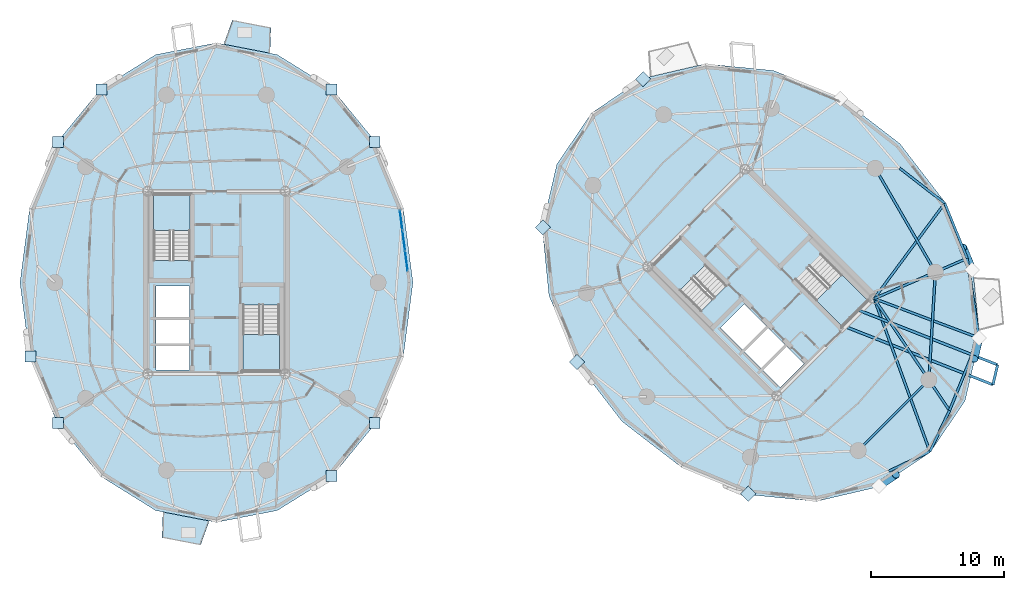
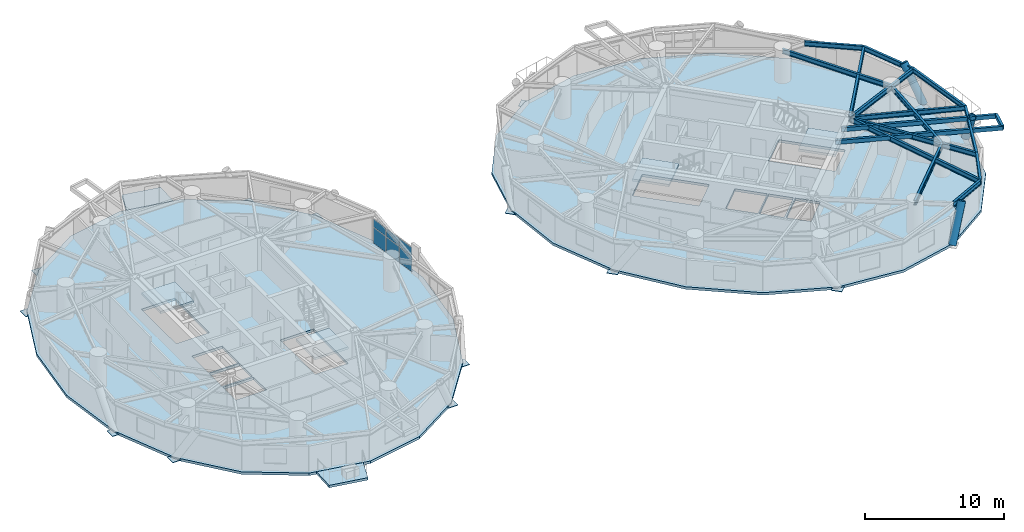
# One storey, part 9 of 19: 18 plates, 17 beams, 8 slabs, 3 members, 5 elements without a shape of their own.
"""IFC4 building model written with IfcOpenShell, lengths in metres."""

from ifc_helpers import new_model, si_unit, direction, frame, origin, origin_2d, place, context, subcontext, project, spatial, polyline, rectangle, hollow_rectangle, hollow_circle, i_section, outline, extrude, source, transform, mapped, material, layer, layer_set, material_profile, profile_set, type_object, element, aggregate, save


model = new_model("IFC4")

# Units and contexts
model_context = context("Model", 3, precision=1e-05, world=origin(), true_north=direction((0.0, 1.0)))
body_context = subcontext(model_context, "Body", "Model", "MODEL_VIEW")
ifc_project = project(units=[si_unit("LENGTHUNIT", "METRE"), si_unit("AREAUNIT", "SQUARE_METRE"), si_unit("VOLUMEUNIT", "CUBIC_METRE"), si_unit("PLANEANGLEUNIT", "RADIAN"), si_unit("MASSUNIT", "GRAM", prefix="KILO")], contexts=[model_context])

# Site, building, storey
site_placement = place(None, origin())
site = spatial("IfcSite", under=ifc_project, at=site_placement, CompositionType="ELEMENT")
building_placement = place(site_placement, origin())
building = spatial("IfcBuilding", under=site, at=building_placement, Name="Cununo Teusaquillo Station Towers", CompositionType="ELEMENT")
storey_placement = place(building_placement, frame((0.0, 0.0, 160.330078125)))
storey = spatial("IfcBuildingStorey", under=building, at=storey_placement, Name="L50", CompositionType="ELEMENT", Elevation=160.330078125)

# Beams
ifc_material_1 = material(Name="Steel EN 10025-2 S355J2", Category="steel")
ifc_material_profile_1 = material_profile(ifc_material_1, hollow_rectangle(XDim=0.199951171875, YDim=0.35009765625, WallThickness=0.013916015625, at=origin_2d()), Name="RHS 350x200x14")
ifc_profile_set_1 = profile_set([ifc_material_profile_1], Name="Steel EN 10025-2 S355J2")
beam_type_1 = type_object("IfcBeamType", Name="BM-BAL-CANT", PredefinedType="BEAM", material=ifc_profile_set_1)
beam_1_placement = place(storey_placement, frame((63.662109375, 21.257568359375, 2.514892578125), z_axis=(0.93054889278, -0.366167663982, 0.0), x_axis=(0.366167663982, 0.93054889278, 0.0)))
element("IfcBeam", 1, at=beam_1_placement, inside=storey, type_object=beam_type_1, Name="L50 Tower B Balcony Cantilever Bracket 2A", PredefinedType="BEAM", context=body_context, shape_type="SweptSolid", body=[
    extrude(hollow_rectangle(XDim=0.199951171875, YDim=0.35009765625, WallThickness=0.013916015625, at=origin_2d()), origin(), (0.0, 0.0, 1.0), 12.15087890625),
])
beam_2_placement = place(storey_placement, frame((64.835693359375, 22.43115234375, 2.514892578125), z_axis=(0.930555904619, -0.36614984416, 0.0), x_axis=(0.36614984416, 0.930555904619, 0.0)))
element("IfcBeam", 2, at=beam_2_placement, inside=storey, type_object=beam_type_1, Name="L50 Tower B Balcony Cantilever Bracket 2B", PredefinedType="BEAM", context=body_context, shape_type="SweptSolid", body=[
    extrude(hollow_rectangle(XDim=0.199951171875, YDim=0.35009765625, WallThickness=0.013916015625, at=origin_2d()), origin(), (0.0, 0.0, 1.0), 11.26513671875),
])
ifc_material_2 = material(Name="Steel ASTM A572 Grade 50", Category="steel")
ifc_material_profile_2 = material_profile(ifc_material_2, i_section(OverallWidth=0.180908203125, OverallDepth=0.4169921875, WebThickness=0.010986328125, FlangeThickness=0.018310546875, FilletRadius=0.012939453125, at=origin_2d()), Name="W16X57")
ifc_profile_set_2 = profile_set([ifc_material_profile_2], Name="Steel ASTM A572 Grade 50")
beam_type_2 = type_object("IfcBeamType", Name="BM-JOIST-1", PredefinedType="JOIST", material=ifc_profile_set_2)
beam_3_placement = place(storey_placement, frame((66.024169921875, 23.29443359375, 2.4814453125), z_axis=(0.34241791496, -0.939547748395, 0.0), x_axis=(0.939547748395, 0.34241791496, 0.0)))
element("IfcBeam", 3, at=beam_3_placement, inside=storey, type_object=beam_type_2, Name="L50 Tower B Radial Spandrel Joist V15", PredefinedType="JOIST", context=body_context, shape_type="SweptSolid", body=[
    extrude(i_section(OverallWidth=0.180908203125, OverallDepth=0.4169921875, WebThickness=0.010986328125, FlangeThickness=0.018310546875, FilletRadius=0.012939453125, at=origin_2d()), origin(), (0.0, 0.0, 1.0), 12.25634765625),
])
beam_4_placement = place(storey_placement, frame((66.024169921875, 23.29443359375, 2.4814453125), z_axis=(0.936244635323, -0.351348805076, 0.0), x_axis=(0.351348805076, 0.936244635323, 0.0)))
element("IfcBeam", 4, at=beam_4_placement, inside=storey, type_object=beam_type_2, Name="L50 Tower B Radial Spandrel Joist V17", PredefinedType="JOIST", context=body_context, shape_type="SweptSolid", body=[
    extrude(i_section(OverallWidth=0.180908203125, OverallDepth=0.4169921875, WebThickness=0.010986328125, FlangeThickness=0.018310546875, FilletRadius=0.012939453125, at=origin_2d()), origin(), (0.0, 0.0, 1.0), 8.4287109375),
])
beam_5_placement = place(storey_placement, frame((66.024169921875, 23.29443359375, 2.4814453125), z_axis=(0.594834179272, 0.803848430471, 0.0), x_axis=(-0.803848430471, 0.594834179272, 0.0)))
element("IfcBeam", 5, at=beam_5_placement, inside=storey, type_object=beam_type_2, Name="L50 Tower B Radial Spandrel Joist V19", PredefinedType="JOIST", context=body_context, shape_type="SweptSolid", body=[
    extrude(i_section(OverallWidth=0.180908203125, OverallDepth=0.4169921875, WebThickness=0.010986328125, FlangeThickness=0.018310546875, FilletRadius=0.012939453125, at=origin_2d()), origin(), (0.0, 0.0, 1.0), 8.936767578125),
])
ifc_material_3 = material(Name="Steel ASTM A572 Grade 50", Category="steel")
ifc_material_profile_3 = material_profile(ifc_material_3, i_section(OverallWidth=0.180908203125, OverallDepth=0.4169921875, WebThickness=0.010986328125, FlangeThickness=0.018310546875, FilletRadius=0.012939453125, at=origin_2d()), Name="W16X57")
ifc_profile_set_3 = profile_set([ifc_material_profile_3], Name="Steel ASTM A572 Grade 50")
beam_type_3 = type_object("IfcBeamType", Name="BM-RAD-G2", PredefinedType="BEAM", material=ifc_profile_set_3)
beam_6_placement = place(storey_placement, frame((66.024169921875, 23.29443359375, 2.4814453125), z_axis=(0.558570687133, -0.829456923219, 0.0), x_axis=(0.829456923219, 0.558570687133, 0.0)))
element("IfcBeam", 6, at=beam_6_placement, inside=storey, type_object=beam_type_3, Name="L50 Tower B Continuous Overhanging Radial Girder 09", PredefinedType="BEAM", context=body_context, shape_type="SweptSolid", body=[
    extrude(i_section(OverallWidth=0.180908203125, OverallDepth=0.4169921875, WebThickness=0.010986328125, FlangeThickness=0.018310546875, FilletRadius=0.012939453125, at=origin_2d()), origin(), (0.0, 0.0, 1.0), 10.1591796875),
])
beam_7_placement = place(storey_placement, frame((66.024169921875, 23.29443359375, 2.4814453125), z_axis=(0.917655964072, 0.397375806515, 0.0), x_axis=(-0.397375806515, 0.917655964072, 0.0)))
element("IfcBeam", 7, at=beam_7_placement, inside=storey, type_object=beam_type_3, Name="L50 Tower B Continuous Overhanging Radial Girder 10", PredefinedType="BEAM", context=body_context, shape_type="SweptSolid", body=[
    extrude(i_section(OverallWidth=0.180908203125, OverallDepth=0.4169921875, WebThickness=0.010986328125, FlangeThickness=0.018310546875, FilletRadius=0.012939453125, at=origin_2d()), origin(), (0.0, 0.0, 1.0), 7.6318359375),
])
ifc_material_4 = material(Name="Steel ASTM A572 Grade 50", Category="steel")
ifc_material_profile_4 = material_profile(ifc_material_4, i_section(OverallWidth=0.180908203125, OverallDepth=0.4169921875, WebThickness=0.010986328125, FlangeThickness=0.018310546875, FilletRadius=0.012939453125, at=origin_2d()), Name="W16X57")
ifc_profile_set_4 = profile_set([ifc_material_profile_4], Name="Steel ASTM A572 Grade 50")
beam_type_4 = type_object("IfcBeamType", Name="BM-RING-Z3", PredefinedType="SPANDREL", material=ifc_profile_set_4)
beam_8_placement = place(storey_placement, frame((64.826904296875, 11.853759765625, 2.4814453125), z_axis=(0.707106781187, 0.707106781187, 0.0), x_axis=(-0.707106781187, 0.707106781187, 0.0)))
element("IfcBeam", 8, at=beam_8_placement, inside=storey, type_object=beam_type_4, Name="L50 Tower B Structural Column Ring Girder 08", PredefinedType="SPANDREL", context=body_context, shape_type="SweptSolid", body=[
    extrude(i_section(OverallWidth=0.180908203125, OverallDepth=0.4169921875, WebThickness=0.010986328125, FlangeThickness=0.018310546875, FilletRadius=0.012939453125, at=origin_2d()), origin(), (0.0, 0.0, 1.0), 7.522705078125),
])
beam_9_placement = place(storey_placement, frame((70.146240234375, 17.173095703125, 2.4814453125), z_axis=(0.06012979176, 0.998190567048, 0.0), x_axis=(-0.998190567048, 0.06012979176, 0.0)))
element("IfcBeam", 9, at=beam_9_placement, inside=storey, type_object=beam_type_4, Name="L50 Tower B Structural Column Ring Girder 09", PredefinedType="SPANDREL", context=body_context, shape_type="SweptSolid", body=[
    extrude(i_section(OverallWidth=0.180908203125, OverallDepth=0.4169921875, WebThickness=0.010986328125, FlangeThickness=0.018310546875, FilletRadius=0.012939453125, at=origin_2d()), origin(), (0.0, 0.0, 1.0), 8.132568359375),
])
beam_10_placement = place(storey_placement, frame((70.63525390625, 25.291015625, 2.4814453125), z_axis=(-0.501311121078, 0.865267103202, 0.0), x_axis=(-0.865267103202, -0.501311121078, 0.0)))
element("IfcBeam", 10, at=beam_10_placement, inside=storey, type_object=beam_type_4, Name="L50 Tower B Structural Column Ring Girder 10", PredefinedType="SPANDREL", context=body_context, shape_type="SweptSolid", body=[
    extrude(i_section(OverallWidth=0.180908203125, OverallDepth=0.4169921875, WebThickness=0.010986328125, FlangeThickness=0.018310546875, FilletRadius=0.012939453125, at=origin_2d()), origin(), (0.0, 0.0, 1.0), 9.032958984375),
])
for number, where, z_axis, x_axis, name in (
    (11, (67.132080078125, 10.30126953125, 2.4814453125), (0.902077503555, 0.431574069634, 0.0), (-0.431574069634, 0.902077503555, 0.0), "L50 Tower B Spandrel Ring Beam 15"),
    (12, (70.220947265625, 11.779052734375, 2.4814453125), (0.431574069634, 0.902077503555, 0.0), (-0.902077503555, 0.431574069634, 0.0), "L50 Tower B Spandrel Ring Beam 16"),
):
    element("IfcBeam", number, at=place(storey_placement, frame(where, z_axis=z_axis, x_axis=x_axis)), inside=storey, type_object=beam_type_4, Name=name, PredefinedType="SPANDREL", context=body_context, shape_type="SweptSolid", body=[
        extrude(i_section(OverallWidth=0.180908203125, OverallDepth=0.4169921875, WebThickness=0.010986328125, FlangeThickness=0.018310546875, FilletRadius=0.012939453125, at=origin_2d()), origin(), (0.0, 0.0, 1.0), 3.424072265625),
    ])
beam_11_placement = place(storey_placement, frame((71.69873046875, 14.867919921875, 2.4814453125), z_axis=(0.375882869104, 0.926667183359, 0.0), x_axis=(-0.926667183359, 0.375882869104, 0.0)))
element("IfcBeam", 13, at=beam_11_placement, inside=storey, type_object=beam_type_4, Name="L50 Tower B Spandrel Ring Beam 17", PredefinedType="SPANDREL", context=body_context, shape_type="SweptSolid", body=[
    extrude(i_section(OverallWidth=0.180908203125, OverallDepth=0.4169921875, WebThickness=0.010986328125, FlangeThickness=0.018310546875, FilletRadius=0.012939453125, at=origin_2d()), origin(), (0.0, 0.0, 1.0), 5.8974609375),
])
beam_12_placement = place(storey_placement, frame((73.91552734375, 20.3330078125, 2.4814453125), z_axis=(-0.146535519435, 0.989205409176, 0.0), x_axis=(-0.989205409176, -0.146535519435, 0.0)))
element("IfcBeam", 14, at=beam_12_placement, inside=storey, type_object=beam_type_4, Name="L50 Tower B Spandrel Ring Beam 18", PredefinedType="SPANDREL", context=body_context, shape_type="SweptSolid", body=[
    extrude(i_section(OverallWidth=0.180908203125, OverallDepth=0.4169921875, WebThickness=0.010986328125, FlangeThickness=0.018310546875, FilletRadius=0.012939453125, at=origin_2d()), origin(), (0.0, 0.0, 1.0), 6.0595703125),
])
beam_13_placement = place(storey_placement, frame((73.027587890625, 26.3271484375, 2.4814453125), z_axis=(-0.376588942192, 0.926380466449, 0.0), x_axis=(-0.926380466449, -0.376588942192, 0.0)))
element("IfcBeam", 15, at=beam_13_placement, inside=storey, type_object=beam_type_4, Name="L50 Tower B Spandrel Ring Beam 19", PredefinedType="SPANDREL", context=body_context, shape_type="SweptSolid", body=[
    extrude(i_section(OverallWidth=0.180908203125, OverallDepth=0.4169921875, WebThickness=0.010986328125, FlangeThickness=0.018310546875, FilletRadius=0.012939453125, at=origin_2d()), origin(), (0.0, 0.0, 1.0), 4.48095703125),
])
beam_14_placement = place(storey_placement, frame((71.340087890625, 30.478271484375, 2.4814453125), z_axis=(-0.789900716386, 0.613234749711, 0.0), x_axis=(-0.613234749711, -0.789900716386, 0.0)))
element("IfcBeam", 16, at=beam_14_placement, inside=storey, type_object=beam_type_4, Name="L50 Tower B Spandrel Ring Beam 20", PredefinedType="SPANDREL", context=body_context, shape_type="SweptSolid", body=[
    extrude(i_section(OverallWidth=0.180908203125, OverallDepth=0.4169921875, WebThickness=0.010986328125, FlangeThickness=0.018310546875, FilletRadius=0.012939453125, at=origin_2d()), origin(), (0.0, 0.0, 1.0), 4.3115234375),
])
ifc_material_5 = material(Name="Steel EN 10025-2 S355J2", Category="steel")
ifc_material_profile_5 = material_profile(ifc_material_5, hollow_rectangle(XDim=0.199951171875, YDim=0.35009765625, WallThickness=0.013916015625, at=origin_2d()), Name="RHS 350x200x14")
ifc_profile_set_5 = profile_set([ifc_material_profile_5], Name="Steel EN 10025-2 S355J2")
beam_type_5 = type_object("IfcBeamType", Name="BM-STAIR-TRIM", PredefinedType="BEAM", material=ifc_profile_set_5)
beam_15_placement = place(storey_placement, frame((74.968994140625, 16.808349609375, 2.52490234375), z_axis=(0.227269752297, 0.973831843642, 0.0), x_axis=(-0.973831843642, 0.227269752297, 0.0)))
element("IfcBeam", 17, at=beam_15_placement, inside=storey, type_object=beam_type_5, Name="L50 Tower B Balcony Edge Trimmer Beam 2", PredefinedType="BEAM", context=body_context, shape_type="SweptSolid", body=[
    extrude(hollow_rectangle(XDim=0.199951171875, YDim=0.35009765625, WallThickness=0.013916015625, at=origin_2d()), origin(), (0.0, 0.0, 1.0), 1.538330078125),
])

# Members
ifc_material_6 = material(Name="Steel EN 10025-2 S355J2", Category="steel")
ifc_material_profile_6 = material_profile(ifc_material_6, hollow_circle(Radius=0.304931640625, WallThickness=0.02001953125, at=origin_2d()), Name="CHS 610x20")
ifc_profile_set_6 = profile_set([ifc_material_profile_6], Name="Steel EN 10025-2 S355J2")
member_type = type_object("IfcMemberType", Name="MBR-DIAG-Z3", PredefinedType="BRACE", material=ifc_profile_set_6)
member_1_placement = place(storey_placement, frame((66.37841796875, 9.181884765625, -0.14013671875), z_axis=(0.38866614009, 0.262716380625, 0.883130078131), x_axis=(-0.560009784908, 0.828485993127, 0.0)))
element("IfcMember", 18, at=member_1_placement, inside=storey, type_object=member_type, Name="L50 Tower B Folded-Zigzag Diagrid Tube C14", PredefinedType="BRACE", context=body_context, shape_type="SweptSolid", body=[
    extrude(hollow_circle(Radius=0.304931640625, WallThickness=0.02001953125, at=origin_2d()), origin(), (0.0, 0.0, 1.0), 3.295166015625),
])
member_2_placement = place(storey_placement, frame((73.91552734375, 20.3330078125, -0.14013671875), z_axis=(-0.109923264201, -0.47205364393, 0.874689792578), x_axis=(0.973942735604, -0.226794064657, 0.0)))
element("IfcMember", 19, at=member_2_placement, inside=storey, type_object=member_type, Name="L50 Tower B Folded-Zigzag Diagrid Tube C16", PredefinedType="BRACE", context=body_context, shape_type="SweptSolid", body=[
    extrude(hollow_circle(Radius=0.304931640625, WallThickness=0.02001953125, at=origin_2d()), origin(), (0.0, 0.0, 1.0), 3.3271484375),
])
member_3_placement = place(storey_placement, frame((73.406494140625, 25.4521484375, -0.14013671875), z_axis=(-0.200913894177, 0.488788392676, 0.848952009428), x_axis=(-0.924912371546, -0.380180358463, 0.0)))
element("IfcMember", 20, at=member_3_placement, inside=storey, type_object=member_type, Name="L50 Tower B Folded-Zigzag Diagrid Tube C18", PredefinedType="BRACE", context=body_context, shape_type="SweptSolid", body=[
    extrude(hollow_circle(Radius=0.304931640625, WallThickness=0.02001953125, at=origin_2d()), origin(), (0.0, 0.0, 1.0), 3.427978515625),
])

# Slabs
ifc_material_7 = material(Name="Concrete C50/60", Category="concrete")
ifc_layer_1 = layer(ifc_material_7, 0.2099609375)
ifc_layer_set_1 = layer_set([ifc_layer_1], Name="Concrete C50/60")
slab_type_1 = type_object("IfcSlabType", Name="SLB-BAL-210", PredefinedType="FLOOR", material=ifc_layer_set_1)
slab_1_placement = place(storey_placement, frame((0.0, 0.0, -0.2099609375)))
element("IfcSlab", 21, at=slab_1_placement, inside=storey, type_object=slab_type_1, Name="L50 Tower A Tree Balcony Slab 1", PredefinedType="FLOOR", context=body_context, shape_type="SweptSolid", body=[
    extrude(outline(polyline([(20.53271484375, 41.77587890625), (17.041015625, 42.45068359375), (17.69873046875, 44.27392578125), (20.6015625, 43.712890625), (20.53271484375, 41.77587890625)])), origin(), (0.0, 0.0, 1.0), 0.2099609375),
])
slab_2_placement = place(storey_placement, frame((0.0, 0.0, -0.2099609375)))
element("IfcSlab", 22, at=slab_2_placement, inside=storey, type_object=slab_type_1, Name="L50 Tower A Tree Balcony Slab 2", PredefinedType="FLOOR", context=body_context, shape_type="SweptSolid", body=[
    extrude(outline(polyline([(12.46728515625, 7.22412109375), (15.958984375, 6.54931640625), (15.30126953125, 4.72607421875), (12.3984375, 5.287109375), (12.46728515625, 7.22412109375)])), origin(), (0.0, 0.0, 1.0), 0.2099609375),
])

# Stair, slab
ifc_material_8 = material(Name="Concrete C50/60", Category="concrete")
stair_type = type_object("IfcStairType", Name="ST-TWR-1300", PredefinedType="HALF_TURN_STAIR", material=ifc_material_8)
stair_1_placement = place(storey_placement, origin())
stair_1 = element("IfcStair", 23, at=stair_1_placement, inside=storey, type_object=stair_type, Name="L50 Tower A Protected Core Exit Stair 1", PredefinedType="HALF_TURN_STAIR")
ifc_material_9 = material(Name="Concrete C50/60", Category="concrete")
ifc_layer_2 = layer(ifc_material_9, 0.199951171875)
ifc_layer_set_2 = layer_set([ifc_layer_2], Name="Concrete C50/60")
slab_type_2 = type_object("IfcSlabType", Name="SLB-STAIR-LND", PredefinedType="LANDING", material=ifc_layer_set_2)
slab_3_placement = place(storey_placement, frame((0.0, 0.0, 1.2548828125)))
slab_3 = element("IfcSlab", 24, at=slab_3_placement, type_object=slab_type_2, Name="ST-T1-1 landing 1", PredefinedType="LANDING", context=body_context, shape_type="SweptSolid", body=[
    extrude(outline(polyline([(14.52001953125, 28.409912109375), (14.52001953125, 31.159912109375), (11.760009765625, 31.159912109375), (11.760009765625, 28.409912109375), (14.52001953125, 28.409912109375)])), origin(), (0.0, 0.0, 1.0), 0.199951171875),
])
aggregate(stair_1, [slab_3])

stair_2_placement = place(storey_placement, origin())
stair_2 = element("IfcStair", 25, at=stair_2_placement, inside=storey, type_object=stair_type, Name="L50 Tower A Protected Core Exit Stair 2", PredefinedType="HALF_TURN_STAIR")
slab_4_placement = place(storey_placement, frame((0.0, 0.0, 1.2548828125)))
slab_4 = element("IfcSlab", 26, at=slab_4_placement, type_object=slab_type_2, Name="ST-T1-2 landing 1", PredefinedType="LANDING", context=body_context, shape_type="SweptSolid", body=[
    extrude(outline(polyline([(18.47998046875, 20.590087890625), (18.47998046875, 17.840087890625), (21.239990234375, 17.840087890625), (21.239990234375, 20.590087890625), (18.47998046875, 20.590087890625)])), origin(), (0.0, 0.0, 1.0), 0.199951171875),
])
aggregate(stair_2, [slab_4])

stair_3_placement = place(storey_placement, origin())
stair_3 = element("IfcStair", 27, at=stair_3_placement, inside=storey, type_object=stair_type, Name="L50 Tower B Protected Core Exit Stair 1", PredefinedType="HALF_TURN_STAIR")
slab_5_placement = place(storey_placement, frame((0.0, 0.0, 1.2548828125)))
slab_5 = element("IfcSlab", 28, at=slab_5_placement, type_object=slab_type_2, Name="ST-T2-1 landing 1", PredefinedType="LANDING", context=body_context, shape_type="SweptSolid", body=[
    extrude(outline(polyline([(53.335205078125, 25.86474609375), (51.390625, 27.809326171875), (49.43896484375, 25.857666015625), (51.383544921875, 23.9130859375), (53.335205078125, 25.86474609375)])), origin(), (0.0, 0.0, 1.0), 0.199951171875),
])
aggregate(stair_3, [slab_5])

stair_4_placement = place(storey_placement, origin())
stair_4 = element("IfcStair", 29, at=stair_4_placement, inside=storey, type_object=stair_type, Name="L50 Tower B Protected Core Exit Stair 2", PredefinedType="HALF_TURN_STAIR")
slab_6_placement = place(storey_placement, frame((0.0, 0.0, 1.2548828125)))
slab_6 = element("IfcSlab", 30, at=slab_6_placement, type_object=slab_type_2, Name="ST-T2-2 landing 1", PredefinedType="LANDING", context=body_context, shape_type="SweptSolid", body=[
    extrude(outline(polyline([(61.664794921875, 23.13525390625), (63.609375, 21.190673828125), (65.56103515625, 23.142333984375), (63.616455078125, 25.0869140625), (61.664794921875, 23.13525390625)])), origin(), (0.0, 0.0, 1.0), 0.199951171875),
])
aggregate(stair_4, [slab_6])

# Slabs
ifc_material_10 = material(Name="Concrete C40/50", Category="concrete")
ifc_layer_3 = layer(ifc_material_10, 0.219970703125)
ifc_layer_set_3 = layer_set([ifc_layer_3], Name="Concrete C40/50")
slab_type_3 = type_object("IfcSlabType", Name="SLB-Z3-220", PredefinedType="FLOOR", material=ifc_layer_set_3)
slab_7_placement = place(storey_placement, frame((0.0, 0.0, -0.219970703125)))
element("IfcSlab", 31, at=slab_7_placement, inside=storey, type_object=slab_type_3, Name="L50 Tower A Floor Slab", PredefinedType="FLOOR", context=body_context, shape_type="SweptSolid", body=[
    extrude(outline(polyline([(31.294921875, 24.5), (30.57080078125, 30.077880859375), (28.469482421875, 35.109619140625), (25.1962890625, 39.102783203125), (21.072021484375, 41.66650390625), (16.5, 42.550048828125), (11.927978515625, 41.66650390625), (7.8037109375, 39.102783203125), (4.530517578125, 35.109619140625), (2.42919921875, 30.077880859375), (1.705078125, 24.5), (2.42919921875, 18.922119140625), (4.530517578125, 13.890380859375), (7.8037109375, 9.897216796875), (11.927978515625, 7.33349609375), (16.5, 6.449951171875), (21.072021484375, 7.33349609375), (25.1962890625, 9.897216796875), (28.469482421875, 13.890380859375), (30.57080078125, 18.922119140625), (31.294921875, 24.5)]), holes=[polyline([(14.52001953125, 26.176025390625), (14.52001953125, 31.159912109375), (11.760009765625, 31.159912109375), (11.760009765625, 26.176025390625), (14.52001953125, 26.176025390625)]), polyline([(18.47998046875, 22.823974609375), (18.47998046875, 17.840087890625), (21.239990234375, 17.840087890625), (21.239990234375, 22.823974609375), (18.47998046875, 22.823974609375)]), polyline([(11.949951171875, 21.85009765625), (14.47998046875, 21.85009765625), (14.47998046875, 24.25), (11.949951171875, 24.25), (11.949951171875, 21.85009765625)]), polyline([(11.949951171875, 17.89990234375), (14.47998046875, 17.89990234375), (14.47998046875, 19.75), (11.949951171875, 19.75), (11.949951171875, 17.89990234375)]), polyline([(11.949951171875, 19.89990234375), (14.47998046875, 19.89990234375), (14.47998046875, 21.75), (11.949951171875, 21.75), (11.949951171875, 19.89990234375)])]), origin(), (0.0, 0.0, 1.0), 0.219970703125),
])
slab_8_placement = place(storey_placement, frame((0.0, 0.0, -0.219970703125)))
element("IfcSlab", 32, at=slab_8_placement, inside=storey, type_object=slab_type_3, Name="L50 Tower B Floor Slab", PredefinedType="FLOOR", context=body_context, shape_type="SweptSolid", body=[
    extrude(outline(polyline([(67.961669921875, 34.961669921875), (63.505615234375, 38.393798828125), (58.461669921875, 40.4658203125), (53.323486328125, 40.97509765625), (48.59423828125, 39.871337890625), (44.73681640625, 37.26318359375), (42.128662109375, 33.40576171875), (41.02490234375, 28.676513671875), (41.5341796875, 23.538330078125), (43.606201171875, 18.494384765625), (47.038330078125, 14.038330078125), (51.494384765625, 10.606201171875), (56.538330078125, 8.5341796875), (61.676513671875, 8.02490234375), (66.40576171875, 9.128662109375), (70.26318359375, 11.73681640625), (72.871337890625, 15.59423828125), (73.97509765625, 20.323486328125), (73.4658203125, 25.461669921875), (71.393798828125, 30.505615234375), (67.961669921875, 34.961669921875)]), holes=[polyline([(54.914794921875, 24.28515625), (51.390625, 27.809326171875), (49.43896484375, 25.857666015625), (52.963134765625, 22.33349609375), (54.914794921875, 24.28515625)]), polyline([(60.085205078125, 24.71484375), (63.609375, 21.190673828125), (65.56103515625, 23.142333984375), (62.036865234375, 26.66650390625), (60.085205078125, 24.71484375)]), polyline([(56.156494140625, 19.40869140625), (57.945556640625, 21.19775390625), (56.248291015625, 22.89501953125), (54.45947265625, 21.10595703125), (56.156494140625, 19.40869140625)]), polyline([(58.94970703125, 16.61572265625), (60.738525390625, 18.40478515625), (59.430419921875, 19.712890625), (57.641357421875, 17.923828125), (58.94970703125, 16.61572265625)]), polyline([(57.535400390625, 18.030029296875), (59.32421875, 19.819091796875), (58.01611328125, 21.127197265625), (56.227294921875, 19.338134765625), (57.535400390625, 18.030029296875)])]), origin(), (0.0, 0.0, 1.0), 0.219970703125),
])

# Plates
ifc_material_11 = material(Name="Steel ASTM A572 Grade 50", Category="steel")
ifc_layer_4 = layer(ifc_material_11, 0.044921875)
ifc_layer_set_4 = layer_set([ifc_layer_4], Name="Steel ASTM A572 Grade 50")
plate_type_1 = type_object("IfcPlateType", Name="PLT-NODE-DN2", PredefinedType="USERDEFINED", material=ifc_layer_set_4)
shared_shape_1 = source(origin(), body_context, "Body", "SweptSolid", [
    extrude(rectangle(XDim=0.820068359375, YDim=0.820068359375, at=origin_2d()), origin(), (0.0, 0.0, 1.0), 0.044921875),
])
for number, where, z_axis, x_axis, name in (
    (33, (28.4208984375, 35.07421875, -0.16259765625), (0.0, 0.0, 1.0), (1.0, 0.0, 0.0), "L50 Tower A Diagrid Node Assembly C01"),
    (34, (25.160888671875, 39.05419921875, -0.16259765625), (0.0, 0.0, 1.0), (1.0, 0.0, 0.0), "L50 Tower A Diagrid Node Assembly C03"),
    (35, (7.839111328125, 39.05419921875, -0.16259765625), (0.0, 0.0, 1.0), (1.0, 0.0, 0.0), "L50 Tower A Diagrid Node Assembly C06"),
    (36, (4.5791015625, 35.07421875, -0.16259765625), (0.0, 0.0, 1.0), (1.0, 0.0, 0.0), "L50 Tower A Diagrid Node Assembly C08"),
    (37, (2.486083984375, 18.94091796875, -0.16259765625), (0.0, 0.0, 1.0), (1.0, 0.0, 0.0), "L50 Tower A Diagrid Node Assembly C10"),
    (38, (4.5791015625, 13.92578125, -0.16259765625), (0.0, 0.0, 1.0), (1.0, 0.0, 0.0), "L50 Tower A Diagrid Node Assembly C12"),
    (39, (25.160888671875, 9.94580078125, -0.16259765625), (0.0, 0.0, 1.0), (1.0, 0.0, 0.0), "L50 Tower A Diagrid Node Assembly C16"),
    (40, (28.4208984375, 13.92578125, -0.16259765625), (0.0, 0.0, 1.0), (1.0, 0.0, 0.0), "L50 Tower A Diagrid Node Assembly C18"),
    (41, (48.62158203125, 39.818115234375, -0.16259765625), (0.0, 0.0, 1.0), (0.707106781187, 0.707106781187, 0.0), "L50 Tower B Diagrid Node Assembly C04"),
    (42, (41.08447265625, 28.6669921875, -0.16259765625), (0.0, 0.0, 1.0), (0.707106781187, 0.707106781187, 0.0), "L50 Tower B Diagrid Node Assembly C06"),
    (43, (43.659912109375, 18.521728515625, -0.16259765625), (0.0, 0.0, 1.0), (0.707106781187, 0.707106781187, 0.0), "L50 Tower B Diagrid Node Assembly C09"),
    (44, (56.5478515625, 8.593505859375, -0.16259765625), (0.0, 0.0, 1.0), (0.707106781187, 0.707106781187, 0.0), "L50 Tower B Diagrid Node Assembly C11"),
):
    element("IfcPlate", number, at=place(storey_placement, frame(where, z_axis=z_axis, x_axis=x_axis)), inside=storey, type_object=plate_type_1, Name=name, ObjectType="GUSSET PLATE", PredefinedType="USERDEFINED", context=body_context, shape_type="MappedRepresentation", body=[
        mapped(shared_shape_1, transform((0.0, 0.0, 0.0), x_axis=(1.0, 0.0, 0.0), y_axis=(0.0, 1.0, 0.0), z_axis=(0.0, 0.0, 1.0), scale=1.0)),
    ])

# Curtain wall, plates
ifc_material_12 = material(Name="Operable acoustic tinted low-E double glazing", Category="glass")
ifc_layer_5 = layer(ifc_material_12, 0.179931640625)
ifc_layer_set_5 = layer_set([ifc_layer_5], Name="Operable acoustic tinted low-E double glazing")
curtain_wall_type = type_object("IfcCurtainWallType", Name="CW-SYS-06", PredefinedType="USERDEFINED", material=ifc_layer_set_5)
curtain_wall_placement = place(storey_placement, origin())
curtain_wall = element("IfcCurtainWall", 45, at=curtain_wall_placement, inside=storey, type_object=curtain_wall_type, Name="L50 Tower A Facade Curtain Wall C00", ObjectType="OPERABLE GLAZING", PredefinedType="USERDEFINED")
ifc_material_13 = material(Name="Operable acoustic tinted low-E double glazing", Category="glass")
ifc_layer_6 = layer(ifc_material_13, 0.031982421875)
ifc_layer_set_6 = layer_set([ifc_layer_6], Name="Operable acoustic tinted low-E double glazing")
plate_type_2 = type_object("IfcPlateType", Name="CWP-OPER-32", PredefinedType="CURTAIN_PANEL", material=ifc_layer_set_6)
shared_shape_2 = source(origin(), body_context, "Body", "SweptSolid", [
    extrude(rectangle(XDim=1.46484375, YDim=0.031982421875, at=origin_2d()), origin(), (0.0, 0.0, 1.0), 1.361572265625),
])
plate_1_placement = place(storey_placement, frame((30.406982421875, 29.200439453125, 0.06494140625), z_axis=(0.0, 0.0, 1.0), x_axis=(0.128292898403, -0.991736321922, 0.0)))
plate_1 = element("IfcPlate", 46, at=plate_1_placement, type_object=plate_type_2, Name="CW-06 panel 1.1", PredefinedType="CURTAIN_PANEL", context=body_context, shape_type="MappedRepresentation", body=[
    mapped(shared_shape_2, transform((0.0, 0.0, 0.0), x_axis=(1.0, 0.0, 0.0), y_axis=(0.0, 1.0, 0.0), z_axis=(0.0, 0.0, 1.0), scale=1.0)),
])
plate_2_placement = place(storey_placement, frame((30.8037109375, 26.1337890625, 0.06494140625), z_axis=(0.0, 0.0, 1.0), x_axis=(0.128292898403, -0.991736321922, 0.0)))
plate_2 = element("IfcPlate", 47, at=plate_2_placement, type_object=plate_type_2, Name="CW-06 panel 3.1", PredefinedType="CURTAIN_PANEL", context=body_context, shape_type="MappedRepresentation", body=[
    mapped(shared_shape_2, transform((0.0, 0.0, 0.0), x_axis=(1.0, 0.0, 0.0), y_axis=(0.0, 1.0, 0.0), z_axis=(0.0, 0.0, 1.0), scale=1.0)),
])
shared_shape_3 = source(origin(), body_context, "Body", "SweptSolid", [
    extrude(rectangle(XDim=1.46484375, YDim=0.031982421875, at=origin_2d()), origin(), (0.0, 0.0, 1.0), 0.6884765625),
])
plate_3_placement = place(storey_placement, frame((30.406982421875, 29.200439453125, 1.491455078125), z_axis=(0.0, 0.0, 1.0), x_axis=(0.128292898403, -0.991736321922, 0.0)))
plate_3 = element("IfcPlate", 48, at=plate_3_placement, type_object=plate_type_2, Name="CW-06 panel 1.2", PredefinedType="CURTAIN_PANEL", context=body_context, shape_type="MappedRepresentation", body=[
    mapped(shared_shape_3, transform((0.0, 0.0, 0.0), x_axis=(1.0, 0.0, 0.0), y_axis=(0.0, 1.0, 0.0), z_axis=(0.0, 0.0, 1.0), scale=1.0)),
])
plate_4_placement = place(storey_placement, frame((30.8037109375, 26.1337890625, 1.491455078125), z_axis=(0.0, 0.0, 1.0), x_axis=(0.128292898403, -0.991736321922, 0.0)))
plate_4 = element("IfcPlate", 49, at=plate_4_placement, type_object=plate_type_2, Name="CW-06 panel 3.2", PredefinedType="CURTAIN_PANEL", context=body_context, shape_type="MappedRepresentation", body=[
    mapped(shared_shape_3, transform((0.0, 0.0, 0.0), x_axis=(1.0, 0.0, 0.0), y_axis=(0.0, 1.0, 0.0), z_axis=(0.0, 0.0, 1.0), scale=1.0)),
])
shared_shape_4 = source(origin(), body_context, "Body", "SweptSolid", [
    extrude(rectangle(XDim=1.497314453125, YDim=0.031982421875, at=origin_2d()), origin(), (0.0, 0.0, 1.0), 1.361572265625),
])
plate_5_placement = place(storey_placement, frame((30.605224609375, 27.6669921875, 0.06494140625), z_axis=(0.0, 0.0, 1.0), x_axis=(0.128292898403, -0.991736321922, 0.0)))
plate_5 = element("IfcPlate", 50, at=plate_5_placement, type_object=plate_type_2, Name="CW-06 panel 2.1", PredefinedType="CURTAIN_PANEL", context=body_context, shape_type="MappedRepresentation", body=[
    mapped(shared_shape_4, transform((0.0, 0.0, 0.0), x_axis=(1.0, 0.0, 0.0), y_axis=(0.0, 1.0, 0.0), z_axis=(0.0, 0.0, 1.0), scale=1.0)),
])
shared_shape_5 = source(origin(), body_context, "Body", "SweptSolid", [
    extrude(rectangle(XDim=1.497314453125, YDim=0.031982421875, at=origin_2d()), origin(), (0.0, 0.0, 1.0), 0.6884765625),
])
plate_6_placement = place(storey_placement, frame((30.605224609375, 27.6669921875, 1.491455078125), z_axis=(0.0, 0.0, 1.0), x_axis=(0.128292898403, -0.991736321922, 0.0)))
plate_6 = element("IfcPlate", 51, at=plate_6_placement, type_object=plate_type_2, Name="CW-06 panel 2.2", PredefinedType="CURTAIN_PANEL", context=body_context, shape_type="MappedRepresentation", body=[
    mapped(shared_shape_5, transform((0.0, 0.0, 0.0), x_axis=(1.0, 0.0, 0.0), y_axis=(0.0, 1.0, 0.0), z_axis=(0.0, 0.0, 1.0), scale=1.0)),
])
aggregate(curtain_wall, [plate_1, plate_3, plate_5, plate_6, plate_2, plate_4])

save(model, "model.ifc")
